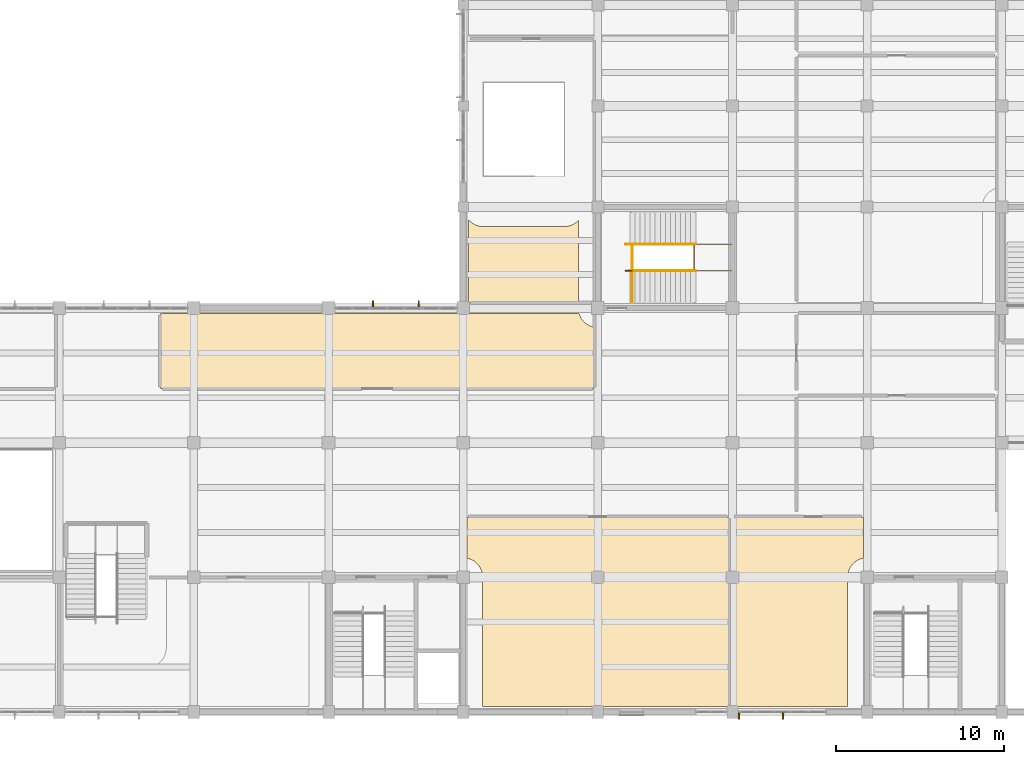
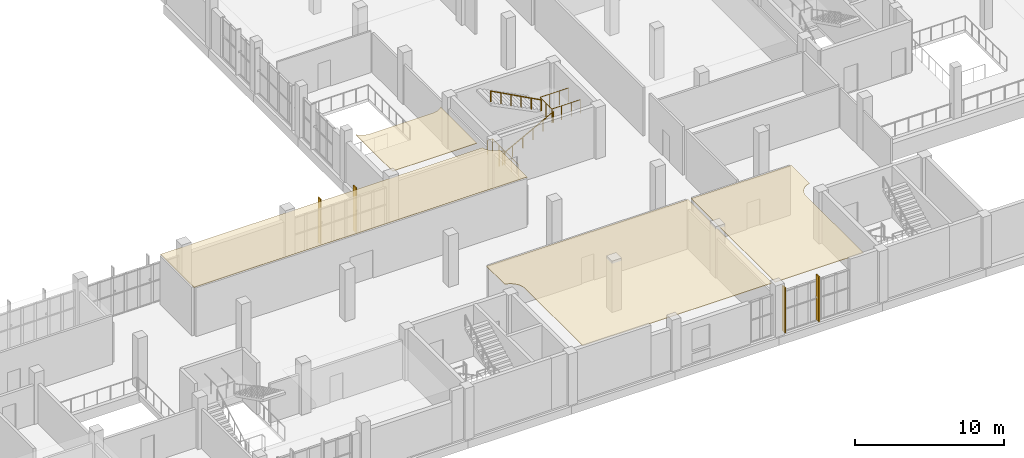
# One storey, part 79 of 85: 5 railings, 4 coverings, 4 shading devices.
"""IFC4 building model written with IfcOpenShell, lengths in metres."""

from ifc_helpers import new_model, si_unit, direction, frame, origin, origin_2d, place, context, subcontext, project, spatial, polyline, rectangle, circle, outline, extrude, material, layer, layer_set, type_object, element, save


model = new_model("IFC4")

# Units and contexts
model_context = context("Model", 3, precision=1e-05, world=origin(), true_north=direction((0.0, 1.0)))
body_context = subcontext(model_context, "Body", "Model", "MODEL_VIEW")
ifc_project = project(units=[si_unit("LENGTHUNIT", "METRE"), si_unit("AREAUNIT", "SQUARE_METRE"), si_unit("VOLUMEUNIT", "CUBIC_METRE"), si_unit("PLANEANGLEUNIT", "RADIAN"), si_unit("MASSUNIT", "GRAM", prefix="KILO")], contexts=[model_context])

# Site, building, storey
site_placement = place(None, origin())
site = spatial("IfcSite", under=ifc_project, at=site_placement, CompositionType="ELEMENT")
building_placement = place(site_placement, origin())
building = spatial("IfcBuilding", under=site, at=building_placement, Name="Solvane Community Centre", CompositionType="ELEMENT")
storey_placement = place(building_placement, frame((0.0, 0.0, 5.39990234375)))
storey = spatial("IfcBuildingStorey", under=building, at=storey_placement, Name="L01", CompositionType="ELEMENT", Elevation=5.39990234375)

# Coverings
ifc_material_1 = material(Name="Acoustic timber slat ceiling", Category="wood")
ifc_layer = layer(ifc_material_1, 0.0400390625)
ifc_layer_set = layer_set([ifc_layer], Name="Acoustic timber slat ceiling")
covering_type = type_object("IfcCoveringType", Name="Acoustic Timber Slat Suspended Ceiling", PredefinedType="CEILING", material=ifc_layer_set)
covering_1_placement = place(storey_placement, frame((0.0, 0.0, 3.955078125)))
element("IfcCovering", 1, at=covering_1_placement, inside=storey, type_object=covering_type, Name="Acoustic Ceiling L01-17", PredefinedType="CEILING", context=body_context, shape_type="SweptSolid", body=[
    extrude(outline(polyline([(108.219970703125, 17.580078125), (123.780029296875, 17.580078125), (123.780029296875, 6.320068359375), (109.159912109375, 6.320068359375), (109.159912109375, 14.0), (109.15869140625, 14.049072265625), (109.157958984375, 14.064697265625), (109.1484375, 14.162353515625), (109.14599609375, 14.177978515625), (109.126953125, 14.274169921875), (109.123046875, 14.289306640625), (109.0947265625, 14.38330078125), (109.08935546875, 14.398193359375), (109.0517578125, 14.48876953125), (109.045166015625, 14.5029296875), (108.998779296875, 14.589599609375), (108.99072265625, 14.60302734375), (108.936279296875, 14.6845703125), (108.927001953125, 14.697265625), (108.864501953125, 14.773193359375), (108.85400390625, 14.78466796875), (108.78466796875, 14.85400390625), (108.773193359375, 14.864501953125), (108.697265625, 14.927001953125), (108.6845703125, 14.936279296875), (108.60302734375, 14.99072265625), (108.589599609375, 14.998779296875), (108.5029296875, 15.045166015625), (108.48876953125, 15.0517578125), (108.398193359375, 15.08935546875), (108.38330078125, 15.0947265625), (108.289306640625, 15.123046875), (108.274169921875, 15.126953125), (108.219970703125, 15.1376953125), (108.219970703125, 17.580078125)])), origin(), (0.0, 0.0, 1.0), 0.0400390625),
])
covering_2_placement = place(storey_placement, frame((0.0, 0.0, 3.955078125)))
element("IfcCovering", 2, at=covering_2_placement, inside=storey, type_object=covering_type, Name="Acoustic Ceiling L01-18", PredefinedType="CEILING", context=body_context, shape_type="SweptSolid", body=[
    extrude(outline(polyline([(124.02001953125, 6.320068359375), (124.02001953125, 17.580078125), (131.780029296875, 17.580078125), (131.780029296875, 15.1376953125), (131.725830078125, 15.126953125), (131.710693359375, 15.123046875), (131.61669921875, 15.0947265625), (131.601806640625, 15.08935546875), (131.51123046875, 15.0517578125), (131.4970703125, 15.045166015625), (131.410400390625, 14.998779296875), (131.39697265625, 14.99072265625), (131.3154296875, 14.936279296875), (131.302734375, 14.927001953125), (131.226806640625, 14.864501953125), (131.21533203125, 14.85400390625), (131.14599609375, 14.78466796875), (131.135498046875, 14.773193359375), (131.072998046875, 14.697265625), (131.063720703125, 14.6845703125), (131.00927734375, 14.60302734375), (131.001220703125, 14.589599609375), (130.954833984375, 14.5029296875), (130.9482421875, 14.48876953125), (130.91064453125, 14.398193359375), (130.9052734375, 14.38330078125), (130.876953125, 14.289306640625), (130.873046875, 14.274169921875), (130.85400390625, 14.177978515625), (130.8515625, 14.162353515625), (130.842041015625, 14.064697265625), (130.84130859375, 14.049072265625), (130.840087890625, 14.0), (130.840087890625, 6.320068359375), (124.02001953125, 6.320068359375)])), origin(), (0.0, 0.0, 1.0), 0.0400390625),
])
covering_3_placement = place(storey_placement, frame((0.0, 0.0, 3.955078125)))
element("IfcCovering", 3, at=covering_3_placement, inside=storey, type_object=covering_type, Name="Acoustic Ceiling L01-19", PredefinedType="CEILING", context=body_context, shape_type="SweptSolid", body=[
    extrude(outline(polyline([(115.780029296875, 25.219970703125), (90.02001953125, 25.219970703125), (90.02001953125, 29.679931640625), (114.885986328125, 29.679931640625), (114.9052734375, 29.61669921875), (114.91064453125, 29.601806640625), (114.9482421875, 29.51123046875), (114.954833984375, 29.4970703125), (115.001220703125, 29.410400390625), (115.00927734375, 29.39697265625), (115.063720703125, 29.3154296875), (115.072998046875, 29.302734375), (115.135498046875, 29.226806640625), (115.14599609375, 29.21533203125), (115.21533203125, 29.14599609375), (115.226806640625, 29.135498046875), (115.302734375, 29.072998046875), (115.3154296875, 29.063720703125), (115.39697265625, 29.00927734375), (115.410400390625, 29.001220703125), (115.4970703125, 28.954833984375), (115.51123046875, 28.9482421875), (115.601806640625, 28.91064453125), (115.61669921875, 28.9052734375), (115.710693359375, 28.876953125), (115.725830078125, 28.873046875), (115.780029296875, 28.8623046875), (115.780029296875, 25.219970703125)])), origin(), (0.0, 0.0, 1.0), 0.0400390625),
])
covering_4_placement = place(storey_placement, frame((0.0, 0.0, 3.955078125)))
element("IfcCovering", 4, at=covering_4_placement, inside=storey, type_object=covering_type, Name="Acoustic Ceiling L01-24", PredefinedType="CEILING", context=body_context, shape_type="SweptSolid", body=[
    extrude(outline(polyline([(108.320068359375, 30.320068359375), (108.320068359375, 35.24560546875), (108.33544921875, 35.226806640625), (108.345947265625, 35.21533203125), (108.415283203125, 35.14599609375), (108.427001953125, 35.135498046875), (108.502685546875, 35.072998046875), (108.515380859375, 35.063720703125), (108.596923828125, 35.00927734375), (108.610595703125, 35.001220703125), (108.697021484375, 34.954833984375), (108.711181640625, 34.9482421875), (108.802001953125, 34.91064453125), (108.816650390625, 34.9052734375), (108.91064453125, 34.876953125), (108.92578125, 34.873046875), (109.022216796875, 34.85400390625), (109.03759765625, 34.8515625), (109.13525390625, 34.842041015625), (109.15087890625, 34.84130859375), (109.199951171875, 34.840087890625), (114.0, 34.840087890625), (114.049072265625, 34.84130859375), (114.064697265625, 34.842041015625), (114.162353515625, 34.8515625), (114.177978515625, 34.85400390625), (114.274169921875, 34.873046875), (114.289306640625, 34.876953125), (114.38330078125, 34.9052734375), (114.398193359375, 34.91064453125), (114.48876953125, 34.9482421875), (114.5029296875, 34.954833984375), (114.589599609375, 35.001220703125), (114.60302734375, 35.00927734375), (114.6845703125, 35.063720703125), (114.697265625, 35.072998046875), (114.773193359375, 35.135498046875), (114.78466796875, 35.14599609375), (114.840087890625, 35.201171875), (114.840087890625, 30.320068359375), (108.320068359375, 30.320068359375)])), origin(), (0.0, 0.0, 1.0), 0.0400390625),
])

# Shading devices
ifc_material_2 = material(Name="Anodised bronze aluminium AW-6063 T6", Category="aluminium")
shading_device_type = type_object("IfcShadingDeviceType", Name="Art Deco Bronze Solar Fin 80x360", PredefinedType="USERDEFINED", material=ifc_material_2)
shading_device_1_placement = place(storey_placement, frame((127.0, 5.760009765625, 0.14990234375), z_axis=(0.0, 0.0, 1.0), x_axis=(-1.0, 0.0, 0.0)))
element("IfcShadingDevice", 5, at=shading_device_1_placement, inside=storey, type_object=shading_device_type, Name="Solar Brise-Soleil Fin 35", ObjectType="Solar Brise-Soleil Fin 35", PredefinedType="USERDEFINED", context=body_context, shape_type="SweptSolid", body=[
    extrude(rectangle(XDim=0.080078125, YDim=0.360107421875, at=origin_2d()), origin(), (0.0, 0.0, 1.0), 3.679931640625),
])
shading_device_2_placement = place(storey_placement, frame((124.384765625, 5.760009765625, 0.14990234375), z_axis=(0.0, 0.0, 1.0), x_axis=(-1.0, 0.0, 0.0)))
element("IfcShadingDevice", 6, at=shading_device_2_placement, inside=storey, type_object=shading_device_type, Name="Solar Brise-Soleil Fin 36", ObjectType="Solar Brise-Soleil Fin 36", PredefinedType="USERDEFINED", context=body_context, shape_type="SweptSolid", body=[
    extrude(rectangle(XDim=0.080078125, YDim=0.360107421875, at=origin_2d()), origin(), (0.0, 0.0, 1.0), 3.679931640625),
])
shading_device_3_placement = place(storey_placement, frame((102.639892578125, 30.239990234375, 0.14990234375), z_axis=(0.0, 0.0, 1.0), x_axis=(1.0, 0.0, 0.0)))
element("IfcShadingDevice", 7, at=shading_device_3_placement, inside=storey, type_object=shading_device_type, Name="Solar Brise-Soleil Fin 61", ObjectType="Solar Brise-Soleil Fin 61", PredefinedType="USERDEFINED", context=body_context, shape_type="SweptSolid", body=[
    extrude(rectangle(XDim=0.080078125, YDim=0.360107421875, at=origin_2d()), origin(), (0.0, 0.0, 1.0), 3.679931640625),
])
shading_device_4_placement = place(storey_placement, frame((105.360107421875, 30.239990234375, 0.14990234375), z_axis=(0.0, 0.0, 1.0), x_axis=(1.0, 0.0, 0.0)))
element("IfcShadingDevice", 8, at=shading_device_4_placement, inside=storey, type_object=shading_device_type, Name="Solar Brise-Soleil Fin 62", ObjectType="Solar Brise-Soleil Fin 62", PredefinedType="USERDEFINED", context=body_context, shape_type="SweptSolid", body=[
    extrude(rectangle(XDim=0.080078125, YDim=0.360107421875, at=origin_2d()), origin(), (0.0, 0.0, 1.0), 3.679931640625),
])

# Railings
railing_type_1 = type_object("IfcRailingType", Name="Interior Gallery & Stair Well Guard 1150mm", PredefinedType="BALUSTRADE", material=ifc_material_2)
railing_1_placement = place(storey_placement, frame((123.93994140625, 32.2099609375, 2.10009765625)))
element("IfcRailing", 9, at=railing_1_placement, inside=storey, type_object=railing_type_1, Name="Railing GR-L01-063", PredefinedType="BALUSTRADE", context=body_context, shape_type="SweptSolid", body=[
    extrude(circle(Radius=0.02392578125, at=origin_2d()), frame((0.0, 0.0, 1.1259765625), z_axis=(-1.0, 0.0, 0.0), x_axis=(0.0, -1.0, 0.0)), (0.0, 0.0, 1.0), 2.219970703125),
    extrude(circle(Radius=0.02392578125, at=origin_2d()), frame((-2.219970703125, 0.0, 1.1259765625), z_axis=(0.0, 1.0, 0.0), x_axis=(-1.0, 0.0, 0.0)), (0.0, 0.0, 1.0), 1.580078125),
    extrude(circle(Radius=0.02392578125, at=origin_2d()), frame((-2.219970703125, 1.580078125, 1.1259765625), z_axis=(1.0, 0.0, 0.0), x_axis=(0.0, 1.0, 0.0)), (0.0, 0.0, 1.0), 2.219970703125),
    extrude(circle(Radius=0.02099609375, at=origin_2d()), origin(), (0.0, 0.0, 1.0), 1.101806640625),
    extrude(circle(Radius=0.02099609375, at=origin_2d()), frame((-0.739990234375, 0.0, 0.0)), (0.0, 0.0, 1.0), 1.101806640625),
    extrude(circle(Radius=0.02099609375, at=origin_2d()), frame((-1.47998046875, 0.0, 0.0)), (0.0, 0.0, 1.0), 1.101806640625),
    extrude(circle(Radius=0.02099609375, at=origin_2d()), frame((-2.219970703125, 0.0, 0.0)), (0.0, 0.0, 1.0), 1.101806640625),
    extrude(circle(Radius=0.02099609375, at=origin_2d()), frame((-2.219970703125, 0.7900390625, 0.0)), (0.0, 0.0, 1.0), 1.101806640625),
    extrude(circle(Radius=0.02099609375, at=origin_2d()), frame((-2.219970703125, 1.580078125, 0.0)), (0.0, 0.0, 1.0), 1.101806640625),
    extrude(circle(Radius=0.02099609375, at=origin_2d()), frame((-1.47998046875, 1.580078125, 0.0)), (0.0, 0.0, 1.0), 1.101806640625),
    extrude(circle(Radius=0.02099609375, at=origin_2d()), frame((-0.739990234375, 1.580078125, 0.0)), (0.0, 0.0, 1.0), 1.101806640625),
    extrude(circle(Radius=0.02099609375, at=origin_2d()), frame((0.0, 1.580078125, 0.0)), (0.0, 0.0, 1.0), 1.101806640625),
])
railing_2_placement = place(storey_placement, frame((118.0400390625, 30.340087890625, 0.0)))
element("IfcRailing", 10, at=railing_2_placement, inside=storey, type_object=railing_type_1, Name="Railing GR-L01-064", PredefinedType="BALUSTRADE", context=body_context, shape_type="SweptSolid", body=[
    extrude(circle(Radius=0.02392578125, at=origin_2d()), frame((0.0, 0.0, 1.1259765625), z_axis=(0.0, 1.0, 0.0), x_axis=(-1.0, 0.0, 0.0)), (0.0, 0.0, 1.0), 3.449951171875),
    extrude(circle(Radius=0.02392578125, at=origin_2d()), frame((0.0, 3.449951171875, 1.1259765625), z_axis=(-1.0, 0.0, 0.0), x_axis=(0.0, -1.0, 0.0)), (0.0, 0.0, 1.0), 0.39013671875),
    extrude(circle(Radius=0.02099609375, at=origin_2d()), origin(), (0.0, 0.0, 1.0), 1.101806640625),
    extrude(circle(Radius=0.02099609375, at=origin_2d()), frame((0.0, 0.862548828125, 0.0)), (0.0, 0.0, 1.0), 1.101806640625),
    extrude(circle(Radius=0.02099609375, at=origin_2d()), frame((0.0, 1.72509765625, 0.0)), (0.0, 0.0, 1.0), 1.101806640625),
    extrude(circle(Radius=0.02099609375, at=origin_2d()), frame((0.0, 2.58740234375, 0.0)), (0.0, 0.0, 1.0), 1.101806640625),
    extrude(circle(Radius=0.02099609375, at=origin_2d()), frame((0.0, 3.449951171875, 0.0)), (0.0, 0.0, 1.0), 1.101806640625),
    extrude(circle(Radius=0.02099609375, at=origin_2d()), frame((-0.39013671875, 3.449951171875, 0.0)), (0.0, 0.0, 1.0), 1.101806640625),
])
railing_3_placement = place(storey_placement, frame((117.64990234375, 32.2099609375, 0.0)))
element("IfcRailing", 11, at=railing_3_placement, inside=storey, type_object=railing_type_1, Name="Railing GR-L01-065", PredefinedType="BALUSTRADE", context=body_context, shape_type="SweptSolid", body=[
    extrude(circle(Radius=0.02392578125, at=origin_2d()), frame((0.0, 0.0, 1.1259765625), z_axis=(1.0, 0.0, 0.0), x_axis=(0.0, 1.0, 0.0)), (0.0, 0.0, 1.0), 0.39013671875),
    extrude(circle(Radius=0.02099609375, at=origin_2d()), origin(), (0.0, 0.0, 1.0), 1.101806640625),
    extrude(circle(Radius=0.02099609375, at=origin_2d()), frame((0.39013671875, 0.0, 0.0)), (0.0, 0.0, 1.0), 1.101806640625),
])
railing_type_2 = type_object("IfcRailingType", Name="Stair Pitch Handrail 900mm", PredefinedType="HANDRAIL", material=ifc_material_2)
railing_4_placement = place(storey_placement, frame((117.89990234375, 32.2099609375, 0.0)))
element("IfcRailing", 12, at=railing_4_placement, inside=storey, type_object=railing_type_2, Name="Railing HR-L01-061", PredefinedType="HANDRAIL", context=body_context, shape_type="SweptSolid", body=[
    extrude(circle(Radius=0.02392578125, at=origin_2d()), frame((0.0, 0.0, 0.8759765625), z_axis=(0.881479153919, 0.0, 0.472222935917), x_axis=(0.0, 1.0, 0.0)), (0.0, 0.0, 1.0), 4.447265625),
    extrude(circle(Radius=0.02099609375, at=origin_2d()), origin(), (0.0, 0.0, 1.0), 0.851806640625),
    extrude(circle(Radius=0.02099609375, at=origin_2d()), frame((0.783935546875, 0.0, 0.419921875)), (0.0, 0.0, 1.0), 0.851806640625),
    extrude(circle(Radius=0.02099609375, at=origin_2d()), frame((1.568115234375, 0.0, 0.840087890625)), (0.0, 0.0, 1.0), 0.851806640625),
    extrude(circle(Radius=0.02099609375, at=origin_2d()), frame((2.35205078125, 0.0, 1.260009765625)), (0.0, 0.0, 1.0), 0.851806640625),
    extrude(circle(Radius=0.02099609375, at=origin_2d()), frame((3.13623046875, 0.0, 1.68017578125)), (0.0, 0.0, 1.0), 0.851806640625),
    extrude(circle(Radius=0.02099609375, at=origin_2d()), frame((3.920166015625, 0.0, 2.10009765625)), (0.0, 0.0, 1.0), 0.851806640625),
])
railing_5_placement = place(storey_placement, frame((121.820068359375, 33.7900390625, 2.10009765625)))
element("IfcRailing", 13, at=railing_5_placement, inside=storey, type_object=railing_type_2, Name="Railing HR-L01-062", PredefinedType="HANDRAIL", context=body_context, shape_type="SweptSolid", body=[
    extrude(circle(Radius=0.02392578125, at=origin_2d()), frame((0.0, 0.0, 0.8759765625), z_axis=(-0.881479153919, 0.0, 0.472222935917), x_axis=(0.0, -1.0, 0.0)), (0.0, 0.0, 1.0), 4.447265625),
    extrude(circle(Radius=0.02099609375, at=origin_2d()), origin(), (0.0, 0.0, 1.0), 0.851806640625),
    extrude(circle(Radius=0.02099609375, at=origin_2d()), frame((-0.783935546875, 0.0, 0.419921875)), (0.0, 0.0, 1.0), 0.851806640625),
    extrude(circle(Radius=0.02099609375, at=origin_2d()), frame((-1.568115234375, 0.0, 0.840087890625)), (0.0, 0.0, 1.0), 0.851806640625),
    extrude(circle(Radius=0.02099609375, at=origin_2d()), frame((-2.35205078125, 0.0, 1.260009765625)), (0.0, 0.0, 1.0), 0.851806640625),
    extrude(circle(Radius=0.02099609375, at=origin_2d()), frame((-3.13623046875, 0.0, 1.68017578125)), (0.0, 0.0, 1.0), 0.851806640625),
    extrude(circle(Radius=0.02099609375, at=origin_2d()), frame((-3.920166015625, 0.0, 2.10009765625)), (0.0, 0.0, 1.0), 0.851806640625),
])

save(model, "model.ifc")
